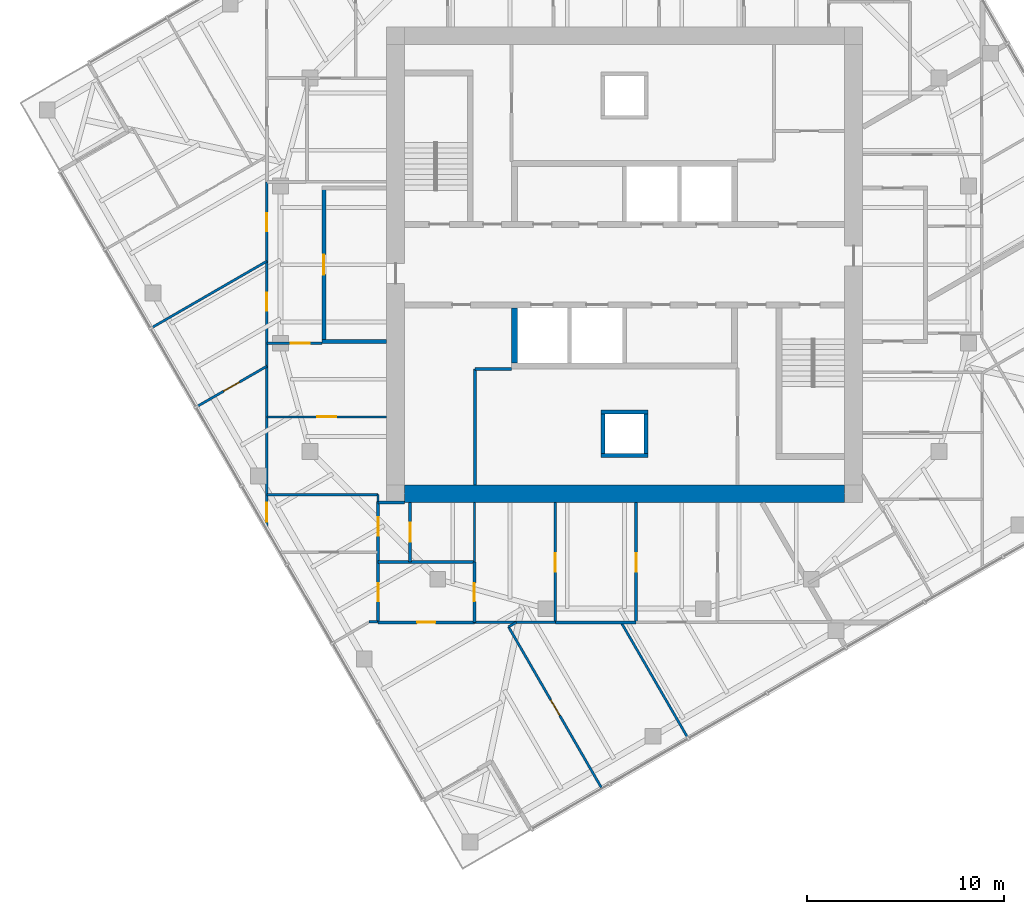
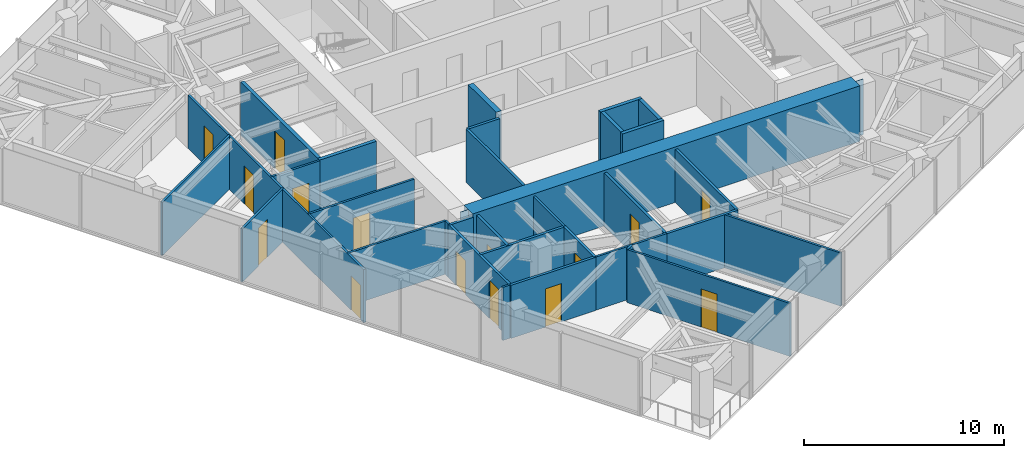
# One storey, part 7 of 13: 32 walls, 15 doors, 15 openings.
"""IFC4 building model written with IfcOpenShell, lengths in metres."""

from ifc_helpers import new_model, si_unit, direction, frame, frame_2d, origin, place, context, subcontext, project, spatial, polyline, rectangle, outline, extrude, material, layer, layer_set, type_object, element, fill, save


model = new_model("IFC4")

# Units and contexts
model_context = context("Model", 3, precision=1e-05, world=origin(), true_north=direction((0.0, 1.0)))
body_context = subcontext(model_context, "Body", "Model", "MODEL_VIEW")
ifc_project = project(units=[si_unit("LENGTHUNIT", "METRE"), si_unit("AREAUNIT", "SQUARE_METRE"), si_unit("VOLUMEUNIT", "CUBIC_METRE"), si_unit("PLANEANGLEUNIT", "RADIAN"), si_unit("MASSUNIT", "GRAM", prefix="KILO")], contexts=[model_context])

# Site, building, storey
site_placement = place(None, origin())
site = spatial("IfcSite", under=ifc_project, at=site_placement, CompositionType="ELEMENT")
building_placement = place(site_placement, origin())
building = spatial("IfcBuilding", under=site, at=building_placement, Name="Torsade Residences", CompositionType="ELEMENT")
storey_placement = place(building_placement, frame((0.0, 0.0, 228.60009765625)))
storey = spatial("IfcBuildingStorey", under=building, at=storey_placement, Name="L63", CompositionType="ELEMENT", Elevation=228.60009765625)

# Walls
ifc_material_1 = material(Name="Concrete 80 MPa", Category="concrete")
ifc_layer_1 = layer(ifc_material_1, 0.300048828125)
ifc_layer_set_1 = layer_set([ifc_layer_1], Name="Concrete 80 MPa")
wall_type_1 = type_object("IfcWallType", Name="CORE INTERNAL WALL 300", PredefinedType="SHEAR", material=ifc_layer_set_1)
wall_1_placement = place(storey_placement, frame((34.39990234375, 27.800048828125, 0.0), z_axis=(0.0, 0.0, 1.0), x_axis=(0.0, -1.0, 0.0)))
element("IfcWall", 1, at=wall_1_placement, inside=storey, type_object=wall_type_1, Name="Core wall DS4 L63", PredefinedType="SHEAR", context=body_context, shape_type="SweptSolid", body=[
    extrude(rectangle(XDim=2.800048828125, YDim=0.300048828125, at=frame_2d((1.39990234375, 0.0))), origin(), (0.0, 0.0, 1.0), 3.39990234375),
])
ifc_material_2 = material(Name="Concrete 80 MPa", Category="concrete")
ifc_layer_2 = layer(ifc_material_2, 0.89990234375)
ifc_layer_set_2 = layer_set([ifc_layer_2], Name="Concrete 80 MPa")
wall_type_2 = type_object("IfcWallType", Name="CORE WALL 900", PredefinedType="SHEAR", material=ifc_layer_set_2)
wall_2_placement = place(storey_placement, frame((51.199951171875, 18.35009765625, 0.0), z_axis=(0.0, 0.0, 1.0), x_axis=(-1.0, 0.0, 0.0)))
element("IfcWall", 2, at=wall_2_placement, inside=storey, type_object=wall_type_2, Name="Core wall S L63", PredefinedType="SHEAR", context=body_context, shape_type="SweptSolid", body=[
    extrude(outline(polyline([(0.0, -0.449951171875), (22.39990234375, -0.449951171875), (22.39990234375, -0.02490234375), (22.849853515625, -0.02490234375), (22.849853515625, 0.02490234375), (22.39990234375, 0.02490234375), (22.39990234375, 0.449951171875), (0.0, 0.449951171875), (0.0, 0.02490234375), (-0.449951171875, 0.02490234375), (-0.449951171875, -0.02490234375), (0.0, -0.02490234375), (0.0, -0.449951171875)])), origin(), (0.0, 0.0, 1.0), 3.39990234375),
])

# Wall, opening, door
ifc_material_3 = material(Name="Plasterboard on steel stud", Category="steel")
ifc_layer_3 = layer(ifc_material_3, 0.199951171875)
ifc_layer_set_3 = layer_set([ifc_layer_3], Name="Plasterboard on steel stud")
wall_type_3 = type_object("IfcWallType", Name="CORRIDOR WALL 200", PredefinedType="PARTITIONING", material=ifc_layer_set_3)
wall_3_placement = place(storey_placement, frame((24.699951171875, 26.10009765625, 0.0), z_axis=(0.0, 0.0, 1.0), x_axis=(0.0, 1.0, 0.0)))
wall_3 = element("IfcWall", 3, at=wall_3_placement, inside=storey, type_object=wall_type_3, Name="Corridor wall L63", PredefinedType="PARTITIONING", context=body_context, shape_type="SweptSolid", body=[
    extrude(rectangle(XDim=7.7998046875, YDim=0.199951171875, at=frame_2d((3.89990234375, 0.0))), origin(), (0.0, 0.0, 1.0), 3.25),
])
opening_1_placement = place(wall_3_placement, frame((3.389892578125, 0.0, 0.0)))
opening_1 = element("IfcOpeningElement", 4, at=opening_1_placement, cuts=wall_3, Name="Opening D01", PredefinedType="OPENING", context=body_context, shape_type="SweptSolid", body=[
    extrude(rectangle(XDim=1.02001953125, YDim=2.340087890625, at=frame_2d((0.510009765625, 1.169921875))), frame((0.0, 0.10986328125, 0.0), z_axis=(0.0, -1.0, 0.0), x_axis=(1.0, 0.0, 0.0)), (0.0, 0.0, 1.0), 0.219970703125),
])
ifc_material_4 = material(Name="Solid-core timber fire door", Category="wood")
door_type_1 = type_object("IfcDoorType", Name="APARTMENT ENTRY DOOR 1020x2340", OperationType="NOTDEFINED", PredefinedType="DOOR", material=ifc_material_4)
door_1_placement = place(opening_1_placement, origin())
door_1 = element("IfcDoor", 5, at=door_1_placement, inside=storey, type_object=door_type_1, Name="Door Residential corridor to Kitchen and dining", OperationType="SINGLE_SWING_LEFT", OverallHeight=2.340087890625, OverallWidth=1.02001953125, PredefinedType="DOOR", context=body_context, shape_type="SweptSolid", body=[
    extrude(rectangle(XDim=1.02001953125, YDim=2.340087890625, at=frame_2d((0.510009765625, 1.169921875))), frame((0.0, 0.02490234375, 0.0), z_axis=(0.0, -1.0, 0.0), x_axis=(1.0, 0.0, 0.0)), (0.0, 0.0, 1.0), 0.050048828125),
])
fill(opening_1, door_1)

# Wall
wall_4_placement = place(storey_placement, frame((27.89990234375, 26.10009765625, 0.0), z_axis=(0.0, 0.0, 1.0), x_axis=(-1.0, 0.0, 0.0)))
element("IfcWall", 6, at=wall_4_placement, inside=storey, type_object=wall_type_3, Name="Corridor wall L63", PredefinedType="PARTITIONING", context=body_context, shape_type="SweptSolid", body=[
    extrude(rectangle(XDim=3.2998046875, YDim=0.199951171875, at=frame_2d((1.64990234375, 0.0))), origin(), (0.0, 0.0, 1.0), 3.25),
])

# Wall, opening, door
ifc_material_5 = material(Name="Plasterboard on steel stud", Category="steel")
ifc_layer_4 = layer(ifc_material_5, 0.1201171875)
ifc_layer_set_4 = layer_set([ifc_layer_4], Name="Plasterboard on steel stud")
wall_type_4 = type_object("IfcWallType", Name="PARTITION 120", PredefinedType="PARTITIONING", material=ifc_layer_set_4)
wall_5_placement = place(storey_placement, frame((24.60009765625, 26.0, 0.0), z_axis=(0.0, 0.0, 1.0), x_axis=(-1.0, 0.0, 0.0)))
wall_5 = element("IfcWall", 7, at=wall_5_placement, inside=storey, type_object=wall_type_4, Name="Partition L63", PredefinedType="PARTITIONING", context=body_context, shape_type="SweptSolid", body=[
    extrude(rectangle(XDim=2.800048828125, YDim=0.1201171875, at=frame_2d((1.39990234375, 0.0))), origin(), (0.0, 0.0, 1.0), 3.25),
])
opening_2_placement = place(wall_5_placement, frame((0.6201171875, 0.0, 0.0)))
opening_2 = element("IfcOpeningElement", 8, at=opening_2_placement, cuts=wall_5, Name="Opening D05", PredefinedType="OPENING", context=body_context, shape_type="SweptSolid", body=[
    extrude(rectangle(XDim=0.9599609375, YDim=2.10009765625, at=frame_2d((0.47998046875, 1.050048828125))), frame((0.0, 0.070068359375, 0.0), z_axis=(0.0, -1.0, 0.0), x_axis=(1.0, 0.0, 0.0)), (0.0, 0.0, 1.0), 0.14013671875),
])
ifc_material_6 = material(Name="Hollow-core timber door in a steel cavity frame", Category="steel")
door_type_2 = type_object("IfcDoorType", Name="BATHROOM CAVITY SLIDING DOOR 960", OperationType="SLIDING_TO_LEFT", PredefinedType="DOOR", material=ifc_material_6)
door_2_placement = place(opening_2_placement, origin())
door_2 = element("IfcDoor", 9, at=door_2_placement, inside=storey, type_object=door_type_2, Name="Door Kitchen and dining to Bathroom", OperationType="SLIDING_TO_LEFT", OverallHeight=2.10009765625, OverallWidth=0.9599609375, PredefinedType="DOOR", context=body_context, shape_type="SweptSolid", body=[
    extrude(rectangle(XDim=0.9599609375, YDim=2.10009765625, at=frame_2d((0.47998046875, 1.050048828125))), frame((0.0, 0.02490234375, 0.0), z_axis=(0.0, -1.0, 0.0), x_axis=(1.0, 0.0, 0.0)), (0.0, 0.0, 1.0), 0.050048828125),
])
fill(opening_2, door_2)

# Wall, openings, doors
wall_6_placement = place(storey_placement, frame((21.800048828125, 16.603271484375, 0.0), z_axis=(0.0, 0.0, 1.0), x_axis=(0.0, 1.0, 0.0)))
wall_6 = element("IfcWall", 10, at=wall_6_placement, inside=storey, type_object=wall_type_4, Name="Partition L63", PredefinedType="PARTITIONING", context=body_context, shape_type="SweptSolid", body=[
    extrude(rectangle(XDim=17.612548828125, YDim=0.1201171875, at=frame_2d((8.80615234375, 0.0))), origin(), (0.0, 0.0, 1.0), 3.25),
])
opening_3_placement = place(wall_6_placement, frame((11.05224609375, 0.0, 0.0)))
opening_3 = element("IfcOpeningElement", 11, at=opening_3_placement, cuts=wall_6, Name="Opening D02", PredefinedType="OPENING", context=body_context, shape_type="SweptSolid", body=[
    extrude(rectangle(XDim=0.919921875, YDim=2.340087890625, at=frame_2d((0.4599609375, 1.169921875))), frame((0.0, 0.070068359375, 0.0), z_axis=(0.0, -1.0, 0.0), x_axis=(1.0, 0.0, 0.0)), (0.0, 0.0, 1.0), 0.14013671875),
])
opening_4_placement = place(wall_6_placement, frame((15.102294921875, 0.0, 0.0)))
opening_4 = element("IfcOpeningElement", 12, at=opening_4_placement, cuts=wall_6, Name="Opening D02", PredefinedType="OPENING", context=body_context, shape_type="SweptSolid", body=[
    extrude(rectangle(XDim=0.919921875, YDim=2.340087890625, at=frame_2d((0.4599609375, 1.169921875))), frame((0.0, 0.070068359375, 0.0), z_axis=(0.0, -1.0, 0.0), x_axis=(1.0, 0.0, 0.0)), (0.0, 0.0, 1.0), 0.14013671875),
])
opening_5_placement = place(wall_6_placement, frame((0.325927734375, 0.0, 0.0)))
opening_5 = element("IfcOpeningElement", 13, at=opening_5_placement, cuts=wall_6, Name="Opening D05", PredefinedType="OPENING", context=body_context, shape_type="SweptSolid", body=[
    extrude(rectangle(XDim=0.9599609375, YDim=2.10009765625, at=frame_2d((0.47998046875, 1.050048828125))), frame((0.0, 0.070068359375, 0.0), z_axis=(0.0, -1.0, 0.0), x_axis=(1.0, 0.0, 0.0)), (0.0, 0.0, 1.0), 0.14013671875),
])
door_3_placement = place(opening_5_placement, origin())
door_3 = element("IfcDoor", 14, at=door_3_placement, inside=storey, type_object=door_type_2, Name="Door Family room 3 to WC 2", OperationType="SLIDING_TO_LEFT", OverallHeight=2.10009765625, OverallWidth=0.9599609375, PredefinedType="DOOR", context=body_context, shape_type="SweptSolid", body=[
    extrude(rectangle(XDim=0.9599609375, YDim=2.10009765625, at=frame_2d((0.47998046875, 1.050048828125))), frame((0.0, 0.02490234375, 0.0), z_axis=(0.0, -1.0, 0.0), x_axis=(1.0, 0.0, 0.0)), (0.0, 0.0, 1.0), 0.050048828125),
])
fill(opening_5, door_3)
ifc_material_7 = material(Name="Hollow-core timber door", Category="wood")
door_type_3 = type_object("IfcDoorType", Name="INTERNAL DOOR 920x2340", OperationType="NOTDEFINED", PredefinedType="DOOR", material=ifc_material_7)
door_4_placement = place(opening_3_placement, origin())
door_4 = element("IfcDoor", 15, at=door_4_placement, inside=storey, type_object=door_type_3, Name="Door Kitchen and dining to Study 3", OperationType="SINGLE_SWING_RIGHT", OverallHeight=2.340087890625, OverallWidth=0.919921875, PredefinedType="DOOR", context=body_context, shape_type="SweptSolid", body=[
    extrude(rectangle(XDim=0.919921875, YDim=2.340087890625, at=frame_2d((0.4599609375, 1.169921875))), frame((0.0, 0.02490234375, 0.0), z_axis=(0.0, -1.0, 0.0), x_axis=(1.0, 0.0, 0.0)), (0.0, 0.0, 1.0), 0.050048828125),
])
fill(opening_3, door_4)
door_5_placement = place(opening_4_placement, origin())
door_5 = element("IfcDoor", 16, at=door_5_placement, inside=storey, type_object=door_type_3, Name="Door Kitchen and dining to Family room", OperationType="SINGLE_SWING_LEFT", OverallHeight=2.340087890625, OverallWidth=0.919921875, PredefinedType="DOOR", context=body_context, shape_type="SweptSolid", body=[
    extrude(rectangle(XDim=0.919921875, YDim=2.340087890625, at=frame_2d((0.4599609375, 1.169921875))), frame((0.0, 0.02490234375, 0.0), z_axis=(0.0, -1.0, 0.0), x_axis=(1.0, 0.0, 0.0)), (0.0, 0.0, 1.0), 0.050048828125),
])
fill(opening_4, door_5)

# Wall, opening, door
wall_7_placement = place(storey_placement, frame((27.89990234375, 22.25048828125, 0.0), z_axis=(0.0, 0.0, 1.0), x_axis=(-1.0, 0.0, 0.0)))
wall_7 = element("IfcWall", 17, at=wall_7_placement, inside=storey, type_object=wall_type_4, Name="Partition L63", PredefinedType="PARTITIONING", context=body_context, shape_type="SweptSolid", body=[
    extrude(rectangle(XDim=6.099853515625, YDim=0.1201171875, at=frame_2d((3.0498046875, 0.0))), origin(), (0.0, 0.0, 1.0), 3.25),
])
opening_6_placement = place(wall_7_placement, frame((2.570068359375, 0.0, 0.0)))
opening_6 = element("IfcOpeningElement", 18, at=opening_6_placement, cuts=wall_7, Name="Opening D05", PredefinedType="OPENING", context=body_context, shape_type="SweptSolid", body=[
    extrude(rectangle(XDim=0.9599609375, YDim=2.10009765625, at=frame_2d((0.47998046875, 1.050048828125))), frame((0.0, 0.070068359375, 0.0), z_axis=(0.0, -1.0, 0.0), x_axis=(1.0, 0.0, 0.0)), (0.0, 0.0, 1.0), 0.14013671875),
])
door_6_placement = place(opening_6_placement, origin())
door_6 = element("IfcDoor", 19, at=door_6_placement, inside=storey, type_object=door_type_2, Name="Door Bathroom to Dressing room", OperationType="SLIDING_TO_LEFT", OverallHeight=2.10009765625, OverallWidth=0.9599609375, PredefinedType="DOOR", context=body_context, shape_type="SweptSolid", body=[
    extrude(rectangle(XDim=0.9599609375, YDim=2.10009765625, at=frame_2d((0.47998046875, 1.050048828125))), frame((0.0, 0.02490234375, 0.0), z_axis=(0.0, -1.0, 0.0), x_axis=(1.0, 0.0, 0.0)), (0.0, 0.0, 1.0), 0.050048828125),
])
fill(opening_6, door_6)

# Walls
wall_8_placement = place(storey_placement, frame((27.4580078125, 18.294921875, 0.0), z_axis=(0.0, 0.0, 1.0), x_axis=(-1.0, 0.0, 0.0)))
element("IfcWall", 20, at=wall_8_placement, inside=storey, type_object=wall_type_4, Name="Partition L63", PredefinedType="PARTITIONING", context=body_context, shape_type="SweptSolid", body=[
    extrude(rectangle(XDim=5.657958984375, YDim=0.1201171875, at=frame_2d((2.8291015625, 0.0))), origin(), (0.0, 0.0, 1.0), 3.25),
])
wall_9_placement = place(storey_placement, frame((32.361328125, 17.89990234375, 0.0), z_axis=(0.0, 0.0, 1.0), x_axis=(0.0, -1.0, 0.0)))
element("IfcWall", 21, at=wall_9_placement, inside=storey, type_object=wall_type_4, Name="Partition L63", PredefinedType="PARTITIONING", context=body_context, shape_type="SweptSolid", body=[
    extrude(rectangle(XDim=3.031005859375, YDim=0.1201171875, at=frame_2d((1.515625, 0.0))), origin(), (0.0, 0.0, 1.0), 3.25),
])
wall_10_placement = place(storey_placement, frame((27.427978515625, 11.830078125, 0.0), z_axis=(0.0, 0.0, 1.0), x_axis=(-1.0, 0.0, 0.0)))
element("IfcWall", 22, at=wall_10_placement, inside=storey, type_object=wall_type_4, Name="Partition L63", PredefinedType="PARTITIONING", context=body_context, shape_type="SweptSolid", body=[
    extrude(rectangle(XDim=0.42138671875, YDim=0.1201171875, at=frame_2d((0.210693359375, 0.0))), origin(), (0.0, 0.0, 1.0), 3.25),
])
wall_11_placement = place(storey_placement, frame((36.4736328125, 11.800048828125, 0.0), z_axis=(0.0, 0.0, 1.0), x_axis=(-1.0, 0.0, 0.0)))
element("IfcWall", 23, at=wall_11_placement, inside=storey, type_object=wall_type_4, Name="Partition L63", PredefinedType="PARTITIONING", context=body_context, shape_type="SweptSolid", body=[
    extrude(rectangle(XDim=4.1123046875, YDim=0.1201171875, at=frame_2d((2.05615234375, 0.0))), origin(), (0.0, 0.0, 1.0), 3.25),
])
wall_12_placement = place(storey_placement, frame((34.486328125, 11.800048828125, 0.0), z_axis=(0.0, 0.0, 1.0), x_axis=(-0.865896406789, -0.500223362819, 0.0)))
element("IfcWall", 24, at=wall_12_placement, inside=storey, type_object=wall_type_4, Name="Partition L63", PredefinedType="PARTITIONING", context=body_context, shape_type="SweptSolid", body=[
    extrude(rectangle(XDim=0.449951171875, YDim=0.1201171875, at=frame_2d((0.22509765625, 0.0))), origin(), (0.0, 0.0, 1.0), 3.25),
])

# Wall, opening, door
wall_13_placement = place(storey_placement, frame((34.0966796875, 11.574951171875, 0.0), z_axis=(0.0, 0.0, 1.0), x_axis=(0.49999364752, -0.86602907136, 0.0)))
wall_13 = element("IfcWall", 25, at=wall_13_placement, inside=storey, type_object=wall_type_4, Name="Partition L63", PredefinedType="PARTITIONING", context=body_context, shape_type="SweptSolid", body=[
    extrude(rectangle(XDim=9.455078125, YDim=0.1201171875, at=frame_2d((4.7275390625, 0.0))), origin(), (0.0, 0.0, 1.0), 3.25),
])
opening_7_placement = place(wall_13_placement, frame((4.28759765625, 0.0, 0.0)))
opening_7 = element("IfcOpeningElement", 26, at=opening_7_placement, cuts=wall_13, Name="Opening D02", PredefinedType="OPENING", context=body_context, shape_type="SweptSolid", body=[
    extrude(rectangle(XDim=0.919921875, YDim=2.340087890625, at=frame_2d((0.4599609375, 1.169921875))), frame((0.0, 0.070068359375, 0.0), z_axis=(0.0, -1.0, 0.0), x_axis=(1.0, 0.0, 0.0)), (0.0, 0.0, 1.0), 0.14013671875),
])
door_7_placement = place(opening_7_placement, origin())
door_7 = element("IfcDoor", 27, at=door_7_placement, inside=storey, type_object=door_type_3, Name="Door Living room to Bedroom 4", OperationType="SINGLE_SWING_LEFT", OverallHeight=2.340087890625, OverallWidth=0.919921875, PredefinedType="DOOR", context=body_context, shape_type="SweptSolid", body=[
    extrude(rectangle(XDim=0.919921875, YDim=2.340087890625, at=frame_2d((0.4599609375, 1.169921875))), frame((0.0, 0.02490234375, 0.0), z_axis=(0.0, -1.0, 0.0), x_axis=(1.0, 0.0, 0.0)), (0.0, 0.0, 1.0), 0.050048828125),
])
fill(opening_7, door_7)

# Walls
for number, where, z_axis, x_axis, name in (
    (28, (43.21923828125, 5.924072265625, 0.0), (0.0, 0.0, 1.0), (-0.500009005995, 0.866020204108, 0.0), "Partition L63"),
    (29, (21.800048828125, 30.17333984375, 0.0), (0.0, 0.0, 1.0), (-0.866020204108, -0.500009005995, 0.0), "Partition L63"),
):
    element("IfcWall", number, at=place(storey_placement, frame(where, z_axis=z_axis, x_axis=x_axis)), inside=storey, type_object=wall_type_4, Name=name, PredefinedType="PARTITIONING", context=body_context, shape_type="SweptSolid", body=[
        extrude(rectangle(XDim=6.784912109375, YDim=0.1201171875, at=frame_2d((3.392578125, 0.0))), origin(), (0.0, 0.0, 1.0), 3.25),
    ])

# Wall, opening, door
wall_14_placement = place(storey_placement, frame((21.800048828125, 24.832763671875, 0.0), z_axis=(0.0, 0.0, 1.0), x_axis=(-0.866025520146, -0.499999798456, 0.0)))
wall_14 = element("IfcWall", 30, at=wall_14_placement, inside=storey, type_object=wall_type_4, Name="Partition L63", PredefinedType="PARTITIONING", context=body_context, shape_type="SweptSolid", body=[
    extrude(rectangle(XDim=4.11474609375, YDim=0.1201171875, at=frame_2d((2.057373046875, 0.0))), origin(), (0.0, 0.0, 1.0), 3.25),
])
opening_8_placement = place(wall_14_placement, frame((1.617431640625, 0.0, 0.0)))
opening_8 = element("IfcOpeningElement", 31, at=opening_8_placement, cuts=wall_14, Name="Opening D02", PredefinedType="OPENING", context=body_context, shape_type="SweptSolid", body=[
    extrude(rectangle(XDim=0.919921875, YDim=2.340087890625, at=frame_2d((0.4599609375, 1.169921875))), frame((0.0, 0.070068359375, 0.0), z_axis=(0.0, -1.0, 0.0), x_axis=(1.0, 0.0, 0.0)), (0.0, 0.0, 1.0), 0.14013671875),
])
door_8_placement = place(opening_8_placement, origin())
door_8 = element("IfcDoor", 32, at=door_8_placement, inside=storey, type_object=door_type_3, Name="Door Study 3 to Family room 3", OperationType="SINGLE_SWING_LEFT", OverallHeight=2.340087890625, OverallWidth=0.919921875, PredefinedType="DOOR", context=body_context, shape_type="SweptSolid", body=[
    extrude(rectangle(XDim=0.919921875, YDim=2.340087890625, at=frame_2d((0.4599609375, 1.169921875))), frame((0.0, 0.02490234375, 0.0), z_axis=(0.0, -1.0, 0.0), x_axis=(1.0, 0.0, 0.0)), (0.0, 0.0, 1.0), 0.050048828125),
])
fill(opening_8, door_8)

# Walls
wall_15_placement = place(storey_placement, frame((27.4580078125, 18.294921875, 0.0), z_axis=(0.0, 0.0, 1.0), x_axis=(0.0, -1.0, 0.0)))
element("IfcWall", 33, at=wall_15_placement, inside=storey, type_object=wall_type_4, Name="Partition L63", PredefinedType="PARTITIONING", context=body_context, shape_type="SweptSolid", body=[
    extrude(rectangle(XDim=0.344970703125, YDim=0.1201171875, at=frame_2d((0.17236328125, 0.0))), origin(), (0.0, 0.0, 1.0), 3.25),
])
ifc_material_8 = material(Name="Reinforced blockwork", Category="masonry")
ifc_layer_5 = layer(ifc_material_8, 0.199951171875)
ifc_layer_set_5 = layer_set([ifc_layer_5], Name="Reinforced blockwork")
wall_type_5 = type_object("IfcWallType", Name="RISER SHAFT WALL 200", PredefinedType="SOLIDWALL", material=ifc_layer_set_5)
for number, where, z_axis, x_axis, name in (
    (34, (38.89990234375, 22.39990234375, 0.0), (0.0, 0.0, 1.0), (0.0, -1.0, 0.0), "Core wall RS2a L63"),
    (35, (41.10009765625, 22.39990234375, 0.0), (0.0, 0.0, 1.0), (0.0, -1.0, 0.0), "Core wall RS2b L63"),
):
    element("IfcWall", number, at=place(storey_placement, frame(where, z_axis=z_axis, x_axis=x_axis)), inside=storey, type_object=wall_type_5, Name=name, PredefinedType="SOLIDWALL", context=body_context, shape_type="SweptSolid", body=[
        extrude(rectangle(XDim=2.0, YDim=0.199951171875, at=frame_2d((1.0, 0.0))), origin(), (0.0, 0.0, 1.0), 3.39990234375),
    ])
for number, where, z_axis, x_axis, name in (
    (36, (38.800048828125, 22.5, 0.0), (0.0, 0.0, 1.0), (1.0, 0.0, 0.0), "Core wall RS2c L63"),
    (37, (38.800048828125, 20.300048828125, 0.0), (0.0, 0.0, 1.0), (1.0, 0.0, 0.0), "Core wall RS2d L63"),
):
    element("IfcWall", number, at=place(storey_placement, frame(where, z_axis=z_axis, x_axis=x_axis)), inside=storey, type_object=wall_type_5, Name=name, PredefinedType="SOLIDWALL", context=body_context, shape_type="SweptSolid", body=[
        extrude(rectangle(XDim=2.39990234375, YDim=0.199951171875, at=frame_2d((1.199951171875, 0.0))), origin(), (0.0, 0.0, 1.0), 3.39990234375),
    ])
ifc_material_9 = material(Name="Reinforced blockwork", Category="masonry")
ifc_layer_6 = layer(ifc_material_9, 0.14990234375)
ifc_layer_set_6 = layer_set([ifc_layer_6], Name="Reinforced blockwork")
wall_type_6 = type_object("IfcWallType", Name="SERVICE ROOM WALL 150", PredefinedType="SOLIDWALL", material=ifc_layer_set_6)
wall_16_placement = place(storey_placement, frame((32.39990234375, 18.800048828125, 0.0), z_axis=(0.0, 0.0, 1.0), x_axis=(0.0, 1.0, 0.0)))
element("IfcWall", 38, at=wall_16_placement, inside=storey, type_object=wall_type_6, Name="Service room wall L63", PredefinedType="SOLIDWALL", context=body_context, shape_type="SweptSolid", body=[
    extrude(rectangle(XDim=5.89990234375, YDim=0.14990234375, at=frame_2d((2.949951171875, 0.0))), origin(), (0.0, 0.0, 1.0), 3.25),
])
wall_17_placement = place(storey_placement, frame((32.39990234375, 24.699951171875, 0.0), z_axis=(0.0, 0.0, 1.0), x_axis=(1.0, 0.0, 0.0)))
element("IfcWall", 39, at=wall_17_placement, inside=storey, type_object=wall_type_6, Name="Service room wall L63", PredefinedType="SOLIDWALL", context=body_context, shape_type="SweptSolid", body=[
    extrude(rectangle(XDim=1.85009765625, YDim=0.14990234375, at=frame_2d((0.925048828125, 0.0))), origin(), (0.0, 0.0, 1.0), 3.25),
])
wall_18_placement = place(storey_placement, frame((28.800048828125, 17.89990234375, 0.0), z_axis=(0.0, 0.0, 1.0), x_axis=(-1.0, 0.0, 0.0)))
element("IfcWall", 40, at=wall_18_placement, inside=storey, type_object=wall_type_6, Name="Service room wall L63", PredefinedType="SOLIDWALL", context=body_context, shape_type="SweptSolid", body=[
    extrude(rectangle(XDim=1.342041015625, YDim=0.14990234375, at=frame_2d((0.6708984375, 0.0))), origin(), (0.0, 0.0, 1.0), 3.25),
])
wall_19_placement = place(storey_placement, frame((32.361328125, 14.868896484375, 0.0), z_axis=(0.0, 0.0, 1.0), x_axis=(-1.0, 0.0, 0.0)))
element("IfcWall", 41, at=wall_19_placement, inside=storey, type_object=wall_type_6, Name="Service room wall L63", PredefinedType="SOLIDWALL", context=body_context, shape_type="SweptSolid", body=[
    extrude(rectangle(XDim=4.9033203125, YDim=0.14990234375, at=frame_2d((2.45166015625, 0.0))), origin(), (0.0, 0.0, 1.0), 3.25),
])

# Wall, opening, door
wall_20_placement = place(storey_placement, frame((29.09228515625, 14.868896484375, 0.0), z_axis=(0.0, 0.0, 1.0), x_axis=(0.0, 1.0, 0.0)))
wall_20 = element("IfcWall", 42, at=wall_20_placement, inside=storey, type_object=wall_type_6, Name="Service room wall L63", PredefinedType="SOLIDWALL", context=body_context, shape_type="SweptSolid", body=[
    extrude(rectangle(XDim=3.031005859375, YDim=0.14990234375, at=frame_2d((1.515625, 0.0))), origin(), (0.0, 0.0, 1.0), 3.25),
])
opening_9_placement = place(wall_20_placement, frame((1.03564453125, 0.0, 0.0)))
opening_9 = element("IfcOpeningElement", 43, at=opening_9_placement, cuts=wall_20, Name="Opening D05", PredefinedType="OPENING", context=body_context, shape_type="SweptSolid", body=[
    extrude(rectangle(XDim=0.9599609375, YDim=2.10009765625, at=frame_2d((0.47998046875, 1.050048828125))), frame((0.0, 0.0849609375, 0.0), z_axis=(0.0, -1.0, 0.0), x_axis=(1.0, 0.0, 0.0)), (0.0, 0.0, 1.0), 0.169921875),
])
door_9_placement = place(opening_9_placement, origin())
door_9 = element("IfcDoor", 44, at=door_9_placement, inside=storey, type_object=door_type_2, Name="Door Linen store 3 to WC", OperationType="SLIDING_TO_LEFT", OverallHeight=2.10009765625, OverallWidth=0.9599609375, PredefinedType="DOOR", context=body_context, shape_type="SweptSolid", body=[
    extrude(rectangle(XDim=0.9599609375, YDim=2.10009765625, at=frame_2d((0.47998046875, 1.050048828125))), frame((0.0, 0.02490234375, 0.0), z_axis=(0.0, -1.0, 0.0), x_axis=(1.0, 0.0, 0.0)), (0.0, 0.0, 1.0), 0.050048828125),
])
fill(opening_9, door_9)

# Wall, openings, doors
wall_21_placement = place(storey_placement, frame((27.4580078125, 11.800048828125, 0.0), z_axis=(0.0, 0.0, 1.0), x_axis=(0.0, 1.0, 0.0)))
wall_21 = element("IfcWall", 45, at=wall_21_placement, inside=storey, type_object=wall_type_6, Name="Service room wall L63", PredefinedType="SOLIDWALL", context=body_context, shape_type="SweptSolid", body=[
    extrude(rectangle(XDim=6.14990234375, YDim=0.14990234375, at=frame_2d((3.074951171875, 0.0))), origin(), (0.0, 0.0, 1.0), 3.25),
])
opening_10_placement = place(wall_21_placement, frame((4.396484375, 0.0, 0.0)))
opening_10 = element("IfcOpeningElement", 46, at=opening_10_placement, cuts=wall_21, Name="Opening D05", PredefinedType="OPENING", context=body_context, shape_type="SweptSolid", body=[
    extrude(rectangle(XDim=0.9599609375, YDim=2.10009765625, at=frame_2d((0.47998046875, 1.050048828125))), frame((0.0, 0.0849609375, 0.0), z_axis=(0.0, -1.0, 0.0), x_axis=(1.0, 0.0, 0.0)), (0.0, 0.0, 1.0), 0.169921875),
])
opening_11_placement = place(wall_21_placement, frame((1.074462890625, 0.0, 0.0)))
opening_11 = element("IfcOpeningElement", 47, at=opening_11_placement, cuts=wall_21, Name="Opening D02", PredefinedType="OPENING", context=body_context, shape_type="SweptSolid", body=[
    extrude(rectangle(XDim=0.919921875, YDim=2.340087890625, at=frame_2d((0.4599609375, 1.169921875))), frame((0.0, 0.0849609375, 0.0), z_axis=(0.0, -1.0, 0.0), x_axis=(1.0, 0.0, 0.0)), (0.0, 0.0, 1.0), 0.169921875),
])
door_10_placement = place(opening_10_placement, origin())
door_10 = element("IfcDoor", 48, at=door_10_placement, inside=storey, type_object=door_type_2, Name="Door WC 2 to Linen store 3", OperationType="SLIDING_TO_LEFT", OverallHeight=2.10009765625, OverallWidth=0.9599609375, PredefinedType="DOOR", context=body_context, shape_type="SweptSolid", body=[
    extrude(rectangle(XDim=0.9599609375, YDim=2.10009765625, at=frame_2d((0.47998046875, 1.050048828125))), frame((0.0, 0.02490234375, 0.0), z_axis=(0.0, -1.0, 0.0), x_axis=(1.0, 0.0, 0.0)), (0.0, 0.0, 1.0), 0.050048828125),
])
fill(opening_10, door_10)
door_11_placement = place(opening_11_placement, origin())
door_11 = element("IfcDoor", 49, at=door_11_placement, inside=storey, type_object=door_type_3, Name="Door Dressing room 2 to Linen store", OperationType="SINGLE_SWING_LEFT", OverallHeight=2.340087890625, OverallWidth=0.919921875, PredefinedType="DOOR", context=body_context, shape_type="SweptSolid", body=[
    extrude(rectangle(XDim=0.919921875, YDim=2.340087890625, at=frame_2d((0.4599609375, 1.169921875))), frame((0.0, 0.02490234375, 0.0), z_axis=(0.0, -1.0, 0.0), x_axis=(1.0, 0.0, 0.0)), (0.0, 0.0, 1.0), 0.050048828125),
])
fill(opening_11, door_11)

# Wall, opening, door
wall_22_placement = place(storey_placement, frame((32.361328125, 14.868896484375, 0.0), z_axis=(0.0, 0.0, 1.0), x_axis=(0.0, -1.0, 0.0)))
wall_22 = element("IfcWall", 50, at=wall_22_placement, inside=storey, type_object=wall_type_6, Name="Service room wall L63", PredefinedType="SOLIDWALL", context=body_context, shape_type="SweptSolid", body=[
    extrude(rectangle(XDim=3.06884765625, YDim=0.14990234375, at=frame_2d((1.534423828125, 0.0))), origin(), (0.0, 0.0, 1.0), 3.25),
])
opening_12_placement = place(wall_22_placement, frame((1.074462890625, 0.0, 0.0)))
opening_12 = element("IfcOpeningElement", 51, at=opening_12_placement, cuts=wall_22, Name="Opening D02", PredefinedType="OPENING", context=body_context, shape_type="SweptSolid", body=[
    extrude(rectangle(XDim=0.919921875, YDim=2.340087890625, at=frame_2d((0.4599609375, 1.169921875))), frame((0.0, 0.0849609375, 0.0), z_axis=(0.0, -1.0, 0.0), x_axis=(1.0, 0.0, 0.0)), (0.0, 0.0, 1.0), 0.169921875),
])
door_12_placement = place(opening_12_placement, origin())
door_12 = element("IfcDoor", 52, at=door_12_placement, inside=storey, type_object=door_type_3, Name="Door Linen store to Walk-in robe 2", OperationType="SINGLE_SWING_RIGHT", OverallHeight=2.340087890625, OverallWidth=0.919921875, PredefinedType="DOOR", context=body_context, shape_type="SweptSolid", body=[
    extrude(rectangle(XDim=0.919921875, YDim=2.340087890625, at=frame_2d((0.4599609375, 1.169921875))), frame((0.0, 0.02490234375, 0.0), z_axis=(0.0, -1.0, 0.0), x_axis=(1.0, 0.0, 0.0)), (0.0, 0.0, 1.0), 0.050048828125),
])
fill(opening_12, door_12)

wall_23_placement = place(storey_placement, frame((32.361328125, 11.800048828125, 0.0), z_axis=(0.0, 0.0, 1.0), x_axis=(-1.0, 0.0, 0.0)))
wall_23 = element("IfcWall", 53, at=wall_23_placement, inside=storey, type_object=wall_type_6, Name="Service room wall L63", PredefinedType="SOLIDWALL", context=body_context, shape_type="SweptSolid", body=[
    extrude(rectangle(XDim=4.9033203125, YDim=0.14990234375, at=frame_2d((2.45166015625, 0.0))), origin(), (0.0, 0.0, 1.0), 3.25),
])
opening_13_placement = place(wall_23_placement, frame((1.99169921875, 0.0, 0.0)))
opening_13 = element("IfcOpeningElement", 54, at=opening_13_placement, cuts=wall_23, Name="Opening D02", PredefinedType="OPENING", context=body_context, shape_type="SweptSolid", body=[
    extrude(rectangle(XDim=0.919921875, YDim=2.340087890625, at=frame_2d((0.4599609375, 1.169921875))), frame((0.0, 0.0849609375, 0.0), z_axis=(0.0, -1.0, 0.0), x_axis=(1.0, 0.0, 0.0)), (0.0, 0.0, 1.0), 0.169921875),
])
door_13_placement = place(opening_13_placement, origin())
door_13 = element("IfcDoor", 55, at=door_13_placement, inside=storey, type_object=door_type_3, Name="Door Linen store to Living room", OperationType="SINGLE_SWING_RIGHT", OverallHeight=2.340087890625, OverallWidth=0.919921875, PredefinedType="DOOR", context=body_context, shape_type="SweptSolid", body=[
    extrude(rectangle(XDim=0.919921875, YDim=2.340087890625, at=frame_2d((0.4599609375, 1.169921875))), frame((0.0, 0.02490234375, 0.0), z_axis=(0.0, -1.0, 0.0), x_axis=(1.0, 0.0, 0.0)), (0.0, 0.0, 1.0), 0.050048828125),
])
fill(opening_13, door_13)

wall_24_placement = place(storey_placement, frame((40.585693359375, 11.800048828125, 0.0), z_axis=(0.0, 0.0, 1.0), x_axis=(0.0, 1.0, 0.0)))
wall_24 = element("IfcWall", 56, at=wall_24_placement, inside=storey, type_object=wall_type_6, Name="Service room wall L63", PredefinedType="SOLIDWALL", context=body_context, shape_type="SweptSolid", body=[
    extrude(rectangle(XDim=6.099853515625, YDim=0.14990234375, at=frame_2d((3.0498046875, 0.0))), origin(), (0.0, 0.0, 1.0), 3.25),
])
opening_14_placement = place(wall_24_placement, frame((2.590087890625, 0.0, 0.0)))
opening_14 = element("IfcOpeningElement", 57, at=opening_14_placement, cuts=wall_24, Name="Opening D02", PredefinedType="OPENING", context=body_context, shape_type="SweptSolid", body=[
    extrude(rectangle(XDim=0.919921875, YDim=2.340087890625, at=frame_2d((0.4599609375, 1.169921875))), frame((0.0, 0.0849609375, 0.0), z_axis=(0.0, -1.0, 0.0), x_axis=(1.0, 0.0, 0.0)), (0.0, 0.0, 1.0), 0.169921875),
])
door_14_placement = place(opening_14_placement, origin())
door_14 = element("IfcDoor", 58, at=door_14_placement, inside=storey, type_object=door_type_3, Name="Door Store 2 to Study", OperationType="SINGLE_SWING_LEFT", OverallHeight=2.340087890625, OverallWidth=0.919921875, PredefinedType="DOOR", context=body_context, shape_type="SweptSolid", body=[
    extrude(rectangle(XDim=0.919921875, YDim=2.340087890625, at=frame_2d((0.4599609375, 1.169921875))), frame((0.0, 0.02490234375, 0.0), z_axis=(0.0, -1.0, 0.0), x_axis=(1.0, 0.0, 0.0)), (0.0, 0.0, 1.0), 0.050048828125),
])
fill(opening_14, door_14)

wall_25_placement = place(storey_placement, frame((36.4736328125, 17.89990234375, 0.0), z_axis=(0.0, 0.0, 1.0), x_axis=(0.0, -1.0, 0.0)))
wall_25 = element("IfcWall", 59, at=wall_25_placement, inside=storey, type_object=wall_type_6, Name="Service room wall L63", PredefinedType="SOLIDWALL", context=body_context, shape_type="SweptSolid", body=[
    extrude(rectangle(XDim=6.099853515625, YDim=0.14990234375, at=frame_2d((3.0498046875, 0.0))), origin(), (0.0, 0.0, 1.0), 3.25),
])
opening_15_placement = place(wall_25_placement, frame((2.590087890625, 0.0, 0.0)))
opening_15 = element("IfcOpeningElement", 60, at=opening_15_placement, cuts=wall_25, Name="Opening D02", PredefinedType="OPENING", context=body_context, shape_type="SweptSolid", body=[
    extrude(rectangle(XDim=0.919921875, YDim=2.340087890625, at=frame_2d((0.4599609375, 1.169921875))), frame((0.0, 0.0849609375, 0.0), z_axis=(0.0, -1.0, 0.0), x_axis=(1.0, 0.0, 0.0)), (0.0, 0.0, 1.0), 0.169921875),
])
door_15_placement = place(opening_15_placement, origin())
door_15 = element("IfcDoor", 61, at=door_15_placement, inside=storey, type_object=door_type_3, Name="Door Walk-in robe 2 to Store 2", OperationType="SINGLE_SWING_RIGHT", OverallHeight=2.340087890625, OverallWidth=0.919921875, PredefinedType="DOOR", context=body_context, shape_type="SweptSolid", body=[
    extrude(rectangle(XDim=0.919921875, YDim=2.340087890625, at=frame_2d((0.4599609375, 1.169921875))), frame((0.0, 0.02490234375, 0.0), z_axis=(0.0, -1.0, 0.0), x_axis=(1.0, 0.0, 0.0)), (0.0, 0.0, 1.0), 0.050048828125),
])
fill(opening_15, door_15)

# Wall
wall_26_placement = place(storey_placement, frame((40.585693359375, 11.800048828125, 0.0), z_axis=(0.0, 0.0, 1.0), x_axis=(-1.0, 0.0, 0.0)))
element("IfcWall", 62, at=wall_26_placement, inside=storey, type_object=wall_type_6, Name="Service room wall L63", PredefinedType="SOLIDWALL", context=body_context, shape_type="SweptSolid", body=[
    extrude(rectangle(XDim=4.112060546875, YDim=0.14990234375, at=frame_2d((2.05615234375, 0.0))), origin(), (0.0, 0.0, 1.0), 3.25),
])

save(model, "model.ifc")
